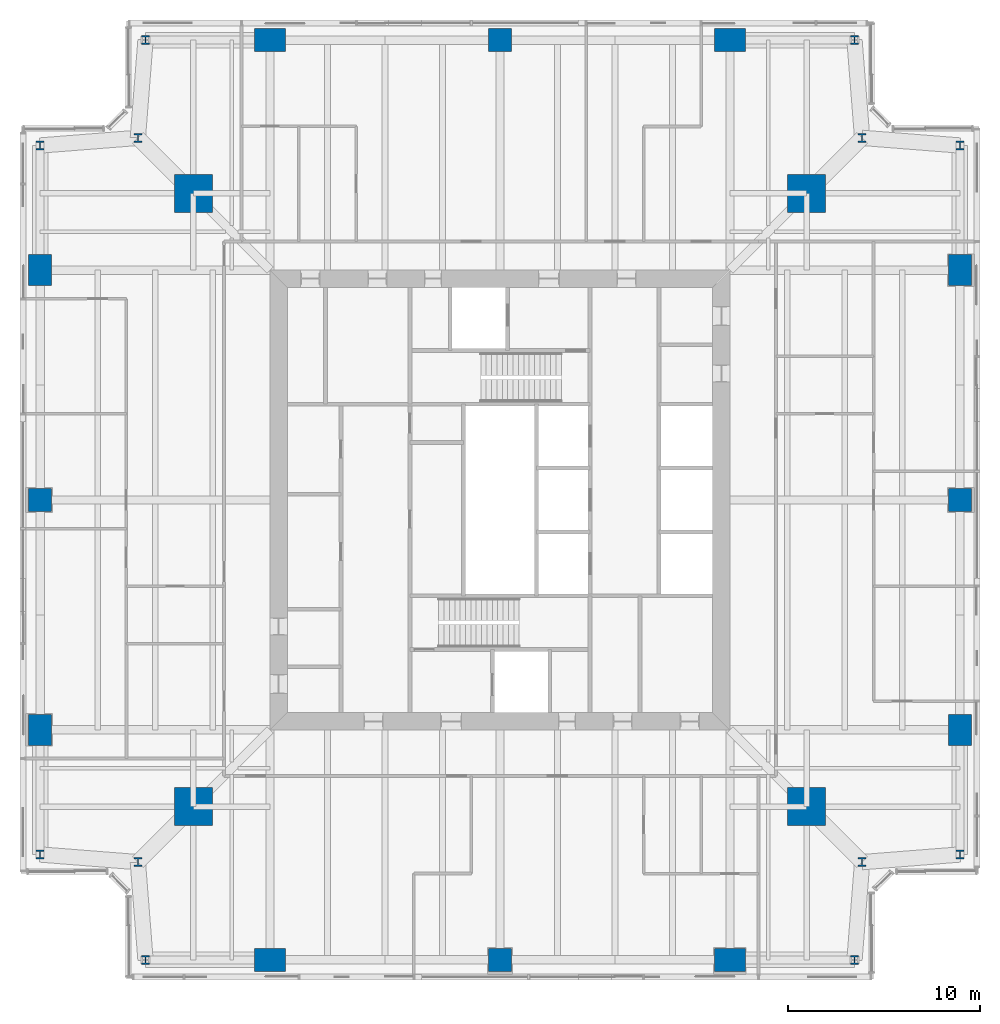
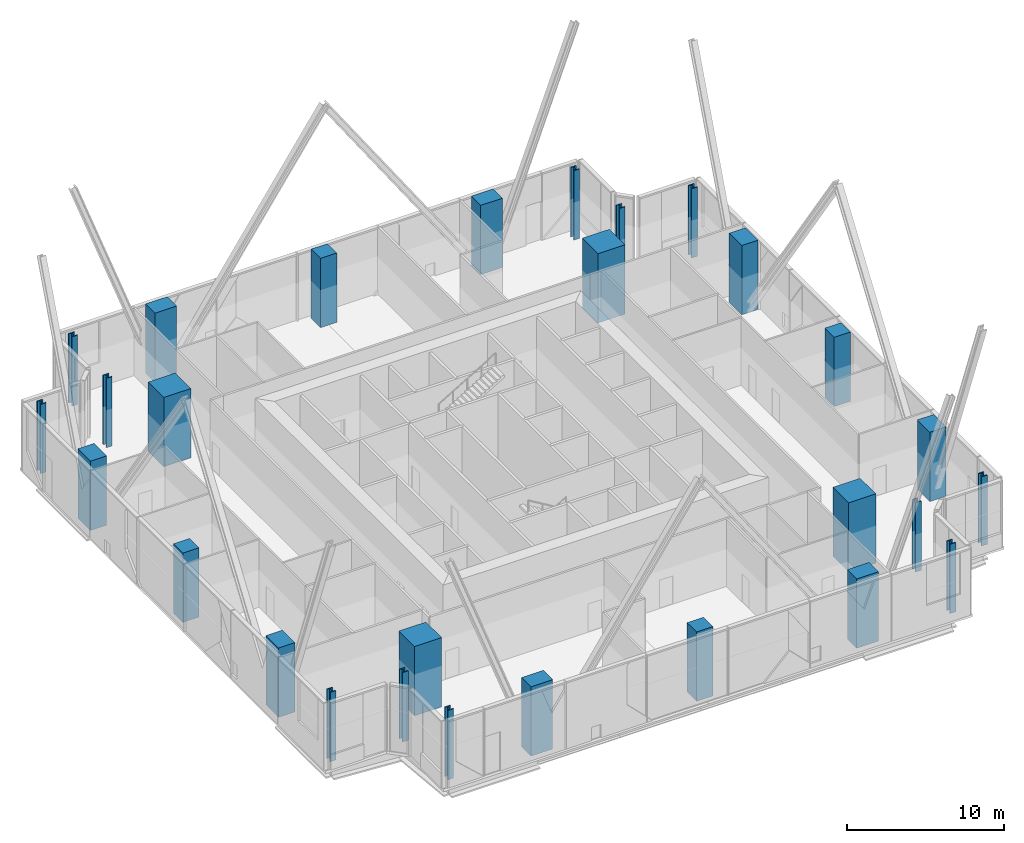
# One storey, part 1 of 14: 28 columns.
"""IFC4 building model written with IfcOpenShell, lengths in metres."""

from ifc_helpers import new_model, si_unit, direction, frame, origin, origin_2d, place, context, subcontext, project, spatial, rectangle, i_section, extrude, material, material_profile, profile_set, type_object, element, save


model = new_model("IFC4")

# Units and contexts
model_context = context("Model", 3, precision=1e-05, world=origin(), true_north=direction((0.0, 1.0)))
body_context = subcontext(model_context, "Body", "Model", "MODEL_VIEW")
ifc_project = project(units=[si_unit("LENGTHUNIT", "METRE"), si_unit("AREAUNIT", "SQUARE_METRE"), si_unit("VOLUMEUNIT", "CUBIC_METRE"), si_unit("PLANEANGLEUNIT", "RADIAN"), si_unit("MASSUNIT", "GRAM", prefix="KILO")], contexts=[model_context])

# Site, building, storey
site_placement = place(None, origin())
site = spatial("IfcSite", under=ifc_project, at=site_placement, CompositionType="ELEMENT")
building_placement = place(site_placement, origin())
building = spatial("IfcBuilding", under=site, at=building_placement, Name="Fenwick Lantern Interchange", CompositionType="ELEMENT")
storey_placement = place(building_placement, frame((0.0, 0.0, 168.39990234375)))
storey = spatial("IfcBuildingStorey", under=building, at=storey_placement, Name="L39", CompositionType="ELEMENT", Elevation=168.39990234375)

# Columns
ifc_material_1 = material(Name="Concrete f'c 70 MPa", Category="concrete")
ifc_material_profile_1 = material_profile(ifc_material_1, rectangle(XDim=2.0, YDim=2.0, at=origin_2d()), Name="RC2000X2000")
ifc_profile_set_1 = profile_set([ifc_material_profile_1], Name="Concrete f'c 70 MPa")
column_type_1 = type_object("IfcColumnType", Name="MEGA COLUMN RC2000X2000", PredefinedType="COLUMN", material=ifc_profile_set_1)
for number, where, z_axis, x_axis, name in (
    (1, (9.0, 9.0, 0.0), (0.0, 0.0, 1.0), (1.0, 0.0, 0.0), "L39/M1"),
    (2, (41.0, 9.0, 0.0), (0.0, 0.0, 1.0), (1.0, 0.0, 0.0), "L39/M2"),
    (3, (41.0, 41.0, 0.0), (0.0, 0.0, 1.0), (1.0, 0.0, 0.0), "L39/M3"),
    (4, (9.0, 41.0, 0.0), (0.0, 0.0, 1.0), (1.0, 0.0, 0.0), "L39/M4"),
):
    element("IfcColumn", number, at=place(storey_placement, frame(where, z_axis=z_axis, x_axis=x_axis)), inside=storey, type_object=column_type_1, Name=name, PredefinedType="COLUMN", context=body_context, shape_type="SweptSolid", body=[
        extrude(rectangle(XDim=2.0, YDim=2.0, at=origin_2d()), origin(), (0.0, 0.0, 1.0), 5.400146484375),
    ])
ifc_material_profile_2 = material_profile(ifc_material_1, rectangle(XDim=1.199951171875, YDim=1.199951171875, at=origin_2d()), Name="RC1200X1200")
ifc_profile_set_2 = profile_set([ifc_material_profile_2], Name="Concrete f'c 70 MPa")
column_type_2 = type_object("IfcColumnType", Name="PERIMETER COLUMN RC1200X1200", PredefinedType="COLUMN", material=ifc_profile_set_2)
for number, where, z_axis, x_axis, name in (
    (5, (25.0, 1.0, 0.0), (0.0, 0.0, 1.0), (1.0, 0.0, 0.0), "L39/CS3"),
    (6, (49.0, 25.0, 0.0), (0.0, 0.0, 1.0), (1.0, 0.0, 0.0), "L39/CE3"),
    (7, (25.0, 49.0, 0.0), (0.0, 0.0, 1.0), (1.0, 0.0, 0.0), "L39/CN3"),
    (8, (1.0, 25.0, 0.0), (0.0, 0.0, 1.0), (1.0, 0.0, 0.0), "L39/CW3"),
):
    element("IfcColumn", number, at=place(storey_placement, frame(where, z_axis=z_axis, x_axis=x_axis)), inside=storey, type_object=column_type_2, Name=name, PredefinedType="COLUMN", context=body_context, shape_type="SweptSolid", body=[
        extrude(rectangle(XDim=1.199951171875, YDim=1.199951171875, at=origin_2d()), origin(), (0.0, 0.0, 1.0), 5.400146484375),
    ])
ifc_material_profile_3 = material_profile(ifc_material_1, rectangle(XDim=1.199951171875, YDim=1.60009765625, at=origin_2d()), Name="RC1200X1600")
ifc_profile_set_3 = profile_set([ifc_material_profile_3], Name="Concrete f'c 70 MPa")
column_type_3 = type_object("IfcColumnType", Name="PERIMETER COLUMN RC1200X1600", PredefinedType="COLUMN", material=ifc_profile_set_3)
for number, where, z_axis, x_axis, name in (
    (9, (49.0, 13.0, 0.0), (0.0, 0.0, 1.0), (1.0, 0.0, 0.0), "L39/CE2"),
    (10, (49.0, 37.0, 0.0), (0.0, 0.0, 1.0), (1.0, 0.0, 0.0), "L39/CE4"),
    (11, (1.0, 37.0, 0.0), (0.0, 0.0, 1.0), (1.0, 0.0, 0.0), "L39/CW2"),
    (12, (1.0, 13.0, 0.0), (0.0, 0.0, 1.0), (1.0, 0.0, 0.0), "L39/CW4"),
):
    element("IfcColumn", number, at=place(storey_placement, frame(where, z_axis=z_axis, x_axis=x_axis)), inside=storey, type_object=column_type_3, Name=name, PredefinedType="COLUMN", context=body_context, shape_type="SweptSolid", body=[
        extrude(rectangle(XDim=1.199951171875, YDim=1.60009765625, at=origin_2d()), origin(), (0.0, 0.0, 1.0), 5.400146484375),
    ])
ifc_material_profile_4 = material_profile(ifc_material_1, rectangle(XDim=1.60009765625, YDim=1.199951171875, at=origin_2d()), Name="RC1600X1200")
ifc_profile_set_4 = profile_set([ifc_material_profile_4], Name="Concrete f'c 70 MPa")
column_type_4 = type_object("IfcColumnType", Name="PERIMETER COLUMN RC1600X1200", PredefinedType="COLUMN", material=ifc_profile_set_4)
for number, where, z_axis, x_axis, name in (
    (13, (13.0, 1.0, 0.0), (0.0, 0.0, 1.0), (1.0, 0.0, 0.0), "L39/CS2"),
    (14, (37.0, 1.0, 0.0), (0.0, 0.0, 1.0), (1.0, 0.0, 0.0), "L39/CS4"),
    (15, (37.0, 49.0, 0.0), (0.0, 0.0, 1.0), (1.0, 0.0, 0.0), "L39/CN2"),
    (16, (13.0, 49.0, 0.0), (0.0, 0.0, 1.0), (1.0, 0.0, 0.0), "L39/CN4"),
):
    element("IfcColumn", number, at=place(storey_placement, frame(where, z_axis=z_axis, x_axis=x_axis)), inside=storey, type_object=column_type_4, Name=name, PredefinedType="COLUMN", context=body_context, shape_type="SweptSolid", body=[
        extrude(rectangle(XDim=1.60009765625, YDim=1.199951171875, at=origin_2d()), origin(), (0.0, 0.0, 1.0), 5.400146484375),
    ])
ifc_material_2 = material(Name="Steel ASTM A992 Grade 50", Category="steel")
ifc_material_profile_5 = material_profile(ifc_material_2, i_section(OverallWidth=0.424072265625, OverallDepth=0.47509765625, WebThickness=0.0478515625, FlangeThickness=0.0771484375, at=origin_2d()), Name="W14X426")
ifc_profile_set_5 = profile_set([ifc_material_profile_5], Name="Steel ASTM A992 Grade 50")
column_type_5 = type_object("IfcColumnType", Name="PERIMETER COLUMN W14X426", PredefinedType="COLUMN", material=ifc_profile_set_5)
for number, where, z_axis, x_axis, name in (
    (17, (6.5, 1.0, 0.0), (0.0, 0.0, 1.0), (1.0, 0.0, 0.0), "L39/CS1"),
    (18, (43.5, 1.0, 0.0), (0.0, 0.0, 1.0), (1.0, 0.0, 0.0), "L39/CS5"),
    (19, (43.89990234375, 6.10009765625, 0.0), (0.0, 0.0, 1.0), (1.0, 0.0, 0.0), "L39/CSR"),
    (20, (49.0, 6.5, 0.0), (0.0, 0.0, 1.0), (1.0, 0.0, 0.0), "L39/CE1"),
    (21, (49.0, 43.5, 0.0), (0.0, 0.0, 1.0), (1.0, 0.0, 0.0), "L39/CE5"),
    (22, (43.89990234375, 43.89990234375, 0.0), (0.0, 0.0, 1.0), (1.0, 0.0, 0.0), "L39/CER"),
    (23, (43.5, 49.0, 0.0), (0.0, 0.0, 1.0), (1.0, 0.0, 0.0), "L39/CN1"),
    (24, (6.5, 49.0, 0.0), (0.0, 0.0, 1.0), (1.0, 0.0, 0.0), "L39/CN5"),
    (25, (6.10009765625, 43.89990234375, 0.0), (0.0, 0.0, 1.0), (1.0, 0.0, 0.0), "L39/CNR"),
    (26, (1.0, 43.5, 0.0), (0.0, 0.0, 1.0), (1.0, 0.0, 0.0), "L39/CW1"),
    (27, (1.0, 6.5, 0.0), (0.0, 0.0, 1.0), (1.0, 0.0, 0.0), "L39/CW5"),
    (28, (6.10009765625, 6.10009765625, 0.0), (0.0, 0.0, 1.0), (1.0, 0.0, 0.0), "L39/CWR"),
):
    element("IfcColumn", number, at=place(storey_placement, frame(where, z_axis=z_axis, x_axis=x_axis)), inside=storey, type_object=column_type_5, Name=name, PredefinedType="COLUMN", context=body_context, shape_type="SweptSolid", body=[
        extrude(i_section(OverallWidth=0.424072265625, OverallDepth=0.47509765625, WebThickness=0.0478515625, FlangeThickness=0.0771484375, at=origin_2d()), origin(), (0.0, 0.0, 1.0), 5.400146484375),
    ])

save(model, "model.ifc")
